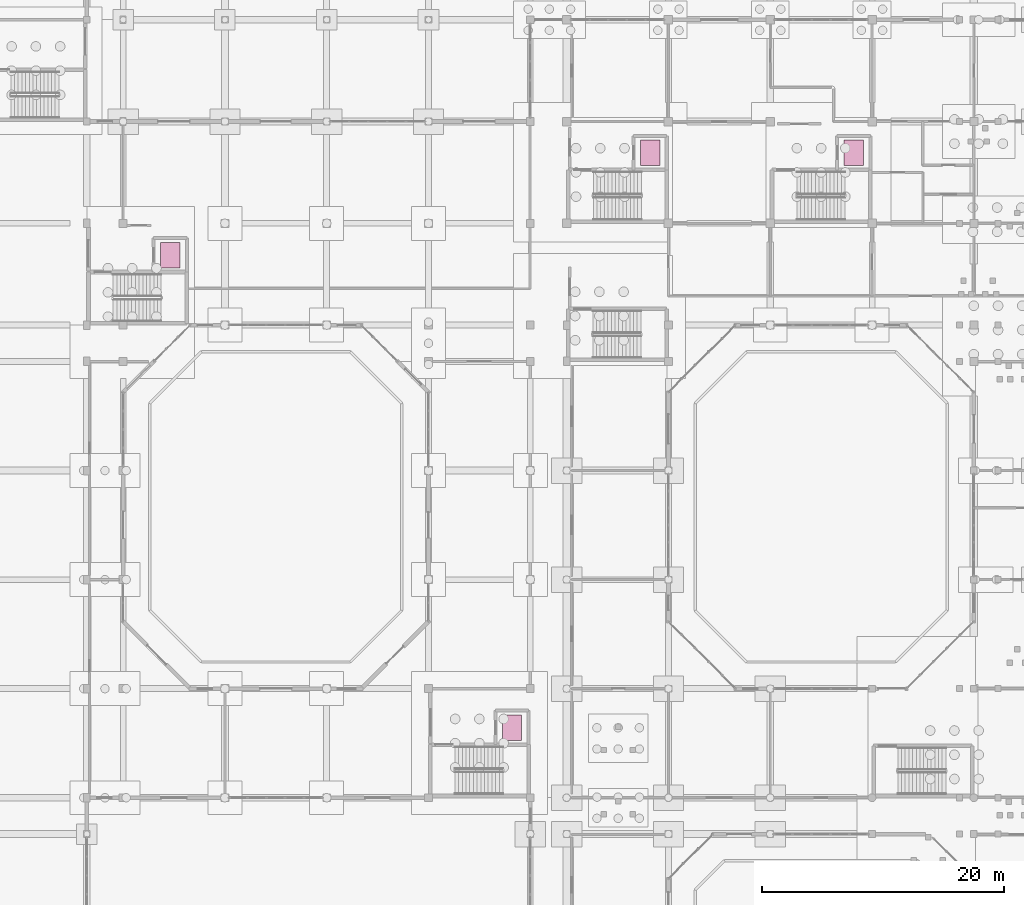
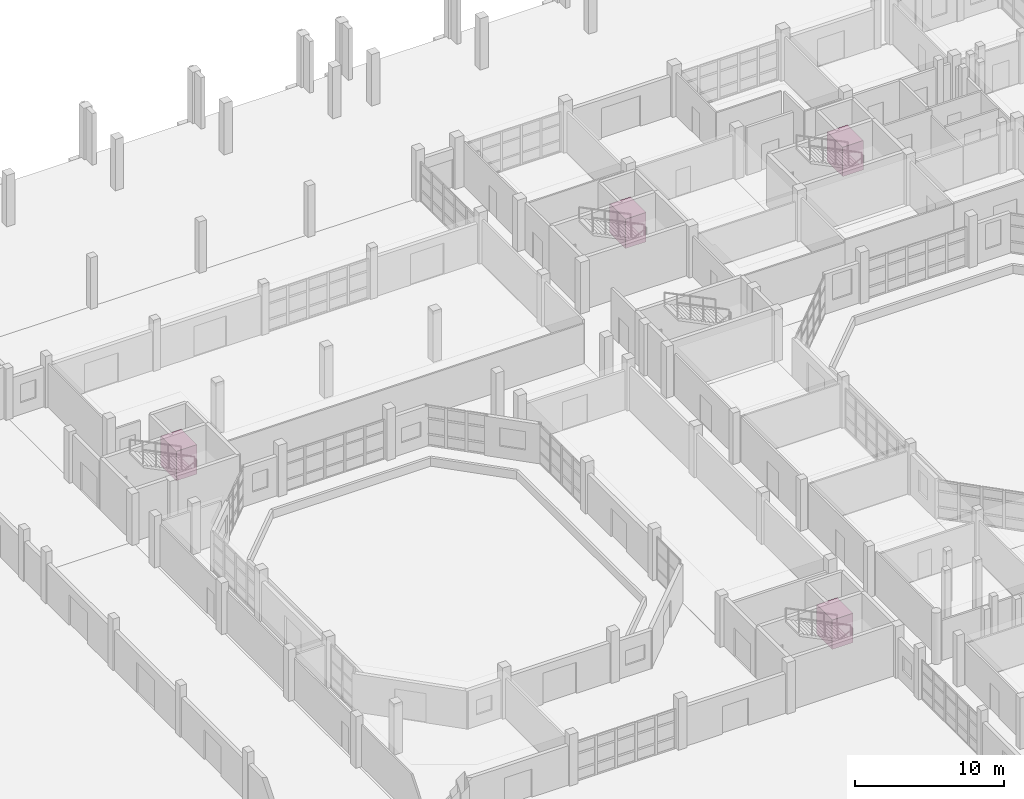
# One storey, part 88 of 88: 4 transport elements.
"""IFC4 building model written with IfcOpenShell, lengths in metres."""

from ifc_helpers import new_model, si_unit, direction, frame, origin, origin_2d, place, context, subcontext, project, spatial, rectangle, extrude, material, type_object, element, save


model = new_model("IFC4")

# Units and contexts
model_context = context("Model", 3, precision=1e-05, world=origin(), true_north=direction((0.0, 1.0)))
body_context = subcontext(model_context, "Body", "Model", "MODEL_VIEW")
ifc_project = project(units=[si_unit("LENGTHUNIT", "METRE"), si_unit("AREAUNIT", "SQUARE_METRE"), si_unit("VOLUMEUNIT", "CUBIC_METRE"), si_unit("PLANEANGLEUNIT", "RADIAN"), si_unit("MASSUNIT", "GRAM", prefix="KILO")], contexts=[model_context])

# Site, building, storey
site_placement = place(None, origin())
site = spatial("IfcSite", under=ifc_project, at=site_placement, CompositionType="ELEMENT")
building_placement = place(site_placement, origin())
building = spatial("IfcBuilding", under=site, at=building_placement, Name="Vanh Quang Courtyard School", CompositionType="ELEMENT")
storey_placement = place(building_placement, origin())
storey = spatial("IfcBuildingStorey", under=building, at=storey_placement, Name="L00", CompositionType="ELEMENT", Elevation=0.0)

# Transport elements
ifc_material = material(Name="Brushed stainless steel", Category="steel")
transport_element_type = type_object("IfcTransportElementType", Name="LIFT-PASS-1350", PredefinedType="ELEVATOR", material=ifc_material)
for number, where, z_axis, x_axis, name in (
    (1, (84.2900390625, 85.6201171875, 0.0), (0.0, 0.0, 1.0), (1.0, 0.0, 0.0), "Passenger Lift LF-01"),
    (2, (101.090087890625, 85.6201171875, 0.0), (0.0, 0.0, 1.0), (1.0, 0.0, 0.0), "Passenger Lift LF-02"),
    (3, (44.68994140625, 77.179931640625, 0.0), (0.0, 0.0, 1.0), (1.0, 0.0, 0.0), "Passenger Lift LF-03"),
    (4, (72.889892578125, 38.179931640625, 0.0), (0.0, 0.0, 1.0), (1.0, 0.0, 0.0), "Passenger Lift LF-04"),
):
    element("IfcTransportElement", number, at=place(storey_placement, frame(where, z_axis=z_axis, x_axis=x_axis)), inside=storey, type_object=transport_element_type, Name=name, PredefinedType="ELEVATOR", context=body_context, shape_type="SweptSolid", body=[
        extrude(rectangle(XDim=1.60009765625, YDim=2.10009765625, at=origin_2d()), origin(), (0.0, 0.0, 1.0), 2.39990234375),
    ])

save(model, "model.ifc")
